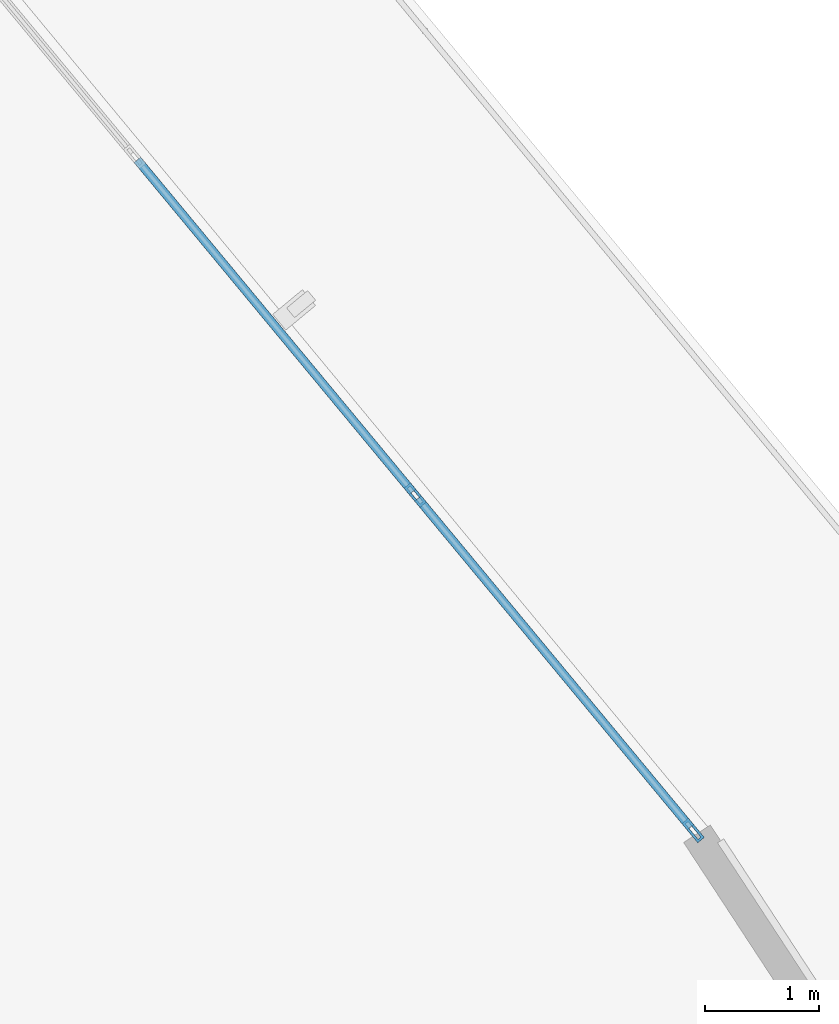
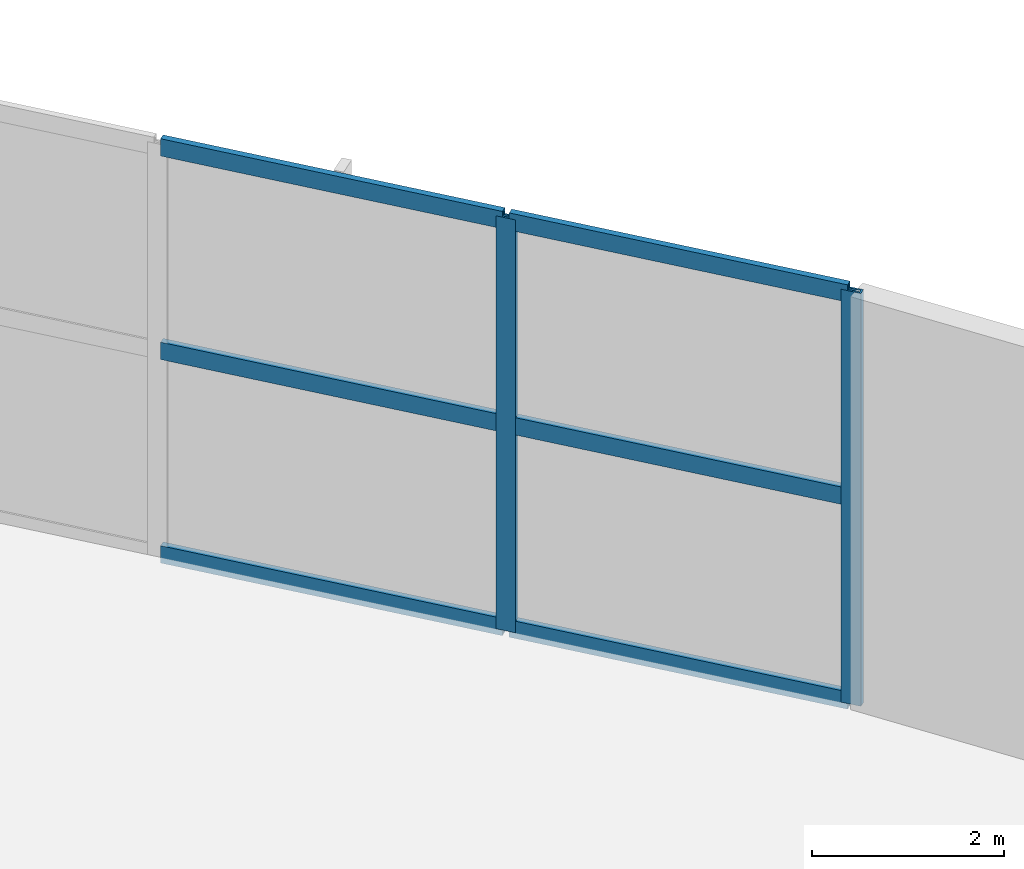
# One storey, part 7 of 26: 8 members, 1 element without a shape of its own.
"""IFC4 building model written with IfcOpenShell, lengths in metres."""

from ifc_helpers import new_model, si_unit, direction, frame, origin, origin_2d, place, context, subcontext, project, spatial, hollow_rectangle, extrude, source, transform, mapped, material, layer, layer_set, material_profile, profile_set, type_object, type_shapes, element, aggregate, save


model = new_model("IFC4")

# Units and contexts
model_context = context("Model", 3, precision=1e-05, world=origin(), true_north=direction((0.0, 1.0)))
body_context = subcontext(model_context, "Body", "Model", "MODEL_VIEW")
ifc_project = project(units=[si_unit("LENGTHUNIT", "METRE"), si_unit("AREAUNIT", "SQUARE_METRE"), si_unit("VOLUMEUNIT", "CUBIC_METRE"), si_unit("PLANEANGLEUNIT", "RADIAN"), si_unit("MASSUNIT", "GRAM", prefix="KILO")], contexts=[model_context])

# Site, building, storey
site_placement = place(None, origin())
site = spatial("IfcSite", under=ifc_project, at=site_placement, CompositionType="ELEMENT")
building_placement = place(site_placement, origin())
building = spatial("IfcBuilding", under=site, at=building_placement, Name="Tavelor Broadcast Tower", CompositionType="ELEMENT")
storey_placement = place(building_placement, frame((0.0, 0.0, 5.800048828125)))
storey = spatial("IfcBuildingStorey", under=building, at=storey_placement, Name="L01", CompositionType="ELEMENT", Elevation=5.800048828125)

# Curtain wall, members
ifc_material = material(Name="Architectural Anodized Aluminium", Category="aluminium")
ifc_layer = layer(ifc_material, 0.219970703125)
ifc_layer_set = layer_set([ifc_layer], Name="Architectural Anodized Aluminium")
curtain_wall_type = type_object("IfcCurtainWallType", Name="Podium Double-Height Broadcast Curtain Wall CW01", PredefinedType="NOTDEFINED", material=ifc_layer_set)
curtain_wall_placement = place(storey_placement, origin())
curtain_wall = element("IfcCurtainWall", 1, at=curtain_wall_placement, inside=storey, type_object=curtain_wall_type, Name="L01 Curtain Wall CW01 Run 6", PredefinedType="NOTDEFINED")
ifc_material_profile_1 = material_profile(ifc_material, hollow_rectangle(XDim=0.074951171875, YDim=0.219970703125, WallThickness=0.02197265625, at=origin_2d()), Name="RHS 75x220x22")
ifc_profile_set_1 = profile_set([ifc_material_profile_1], Name="Architectural Anodized Aluminium")
member_type_1 = type_object("IfcMemberType", Name="CW01 Extruded Aluminium Mullion 75x220", PredefinedType="MULLION", material=ifc_profile_set_1)
shared_shape_1 = source(origin(), body_context, "Body", "SweptSolid", [
    extrude(hollow_rectangle(XDim=0.074951171875, YDim=0.219970703125, WallThickness=0.02197265625, at=origin_2d()), origin(), (0.0, 0.0, 1.0), 5.25),
])
type_shapes(member_type_1, [shared_shape_1])
member_1_placement = place(storey_placement, frame((70.295654296875, 70.43017578125, 0.0), z_axis=(0.0, 0.0, 1.0), x_axis=(-0.769977943321, -0.638070503, 0.0)))
member_1 = element("IfcMember", 2, at=member_1_placement, type_object=member_type_1, Name="CW01 mullion 1", PredefinedType="MULLION", context=body_context, shape_type="MappedRepresentation", body=[
    mapped(shared_shape_1, transform((0.0, 0.0, 0.0), scale=1.0)),
])
member_2_placement = place(storey_placement, frame((67.8486328125, 73.38330078125, 0.0), z_axis=(0.0, 0.0, 1.0), x_axis=(-0.769977943321, -0.638070503, 0.0)))
member_2 = element("IfcMember", 3, at=member_2_placement, type_object=member_type_1, Name="CW01 mullion 2", PredefinedType="MULLION", context=body_context, shape_type="MappedRepresentation", body=[
    mapped(shared_shape_1, transform((0.0, 0.0, 0.0), scale=1.0)),
])
ifc_material_profile_2 = material_profile(ifc_material, hollow_rectangle(XDim=0.074951171875, YDim=0.219970703125, WallThickness=0.02197265625, at=origin_2d()), Name="RHS 75x220x22")
ifc_profile_set_2 = profile_set([ifc_material_profile_2], Name="Architectural Anodized Aluminium")
member_type_2 = type_object("IfcMemberType", Name="CW01 Extruded Aluminium Transom 75x220", PredefinedType="USERDEFINED", material=ifc_profile_set_2)
shared_shape_2 = source(origin(), body_context, "Body", "SweptSolid", [
    extrude(hollow_rectangle(XDim=0.074951171875, YDim=0.219970703125, WallThickness=0.02197265625, at=origin_2d()), origin(), (0.0, 0.0, 1.0), 3.760009765625),
])
member_3_placement = place(storey_placement, frame((70.271728515625, 70.459228515625, 0.037353515625), z_axis=(-0.638055262481, 0.769990572683, 0.0), x_axis=(-0.769990572683, -0.638055262481, 0.0)))
member_3 = element("IfcMember", 4, at=member_3_placement, type_object=member_type_2, Name="CW01 transom 1.1", ObjectType="TRANSOM", PredefinedType="USERDEFINED", context=body_context, shape_type="MappedRepresentation", body=[
    mapped(shared_shape_2, transform((0.0, 0.0, 0.0), scale=1.0)),
])
member_4_placement = place(storey_placement, frame((70.271728515625, 70.459228515625, 2.625), z_axis=(-0.638055262481, 0.769990572683, 0.0), x_axis=(-0.769990572683, -0.638055262481, 0.0)))
member_4 = element("IfcMember", 5, at=member_4_placement, type_object=member_type_2, Name="CW01 transom 1.2", ObjectType="TRANSOM", PredefinedType="USERDEFINED", context=body_context, shape_type="MappedRepresentation", body=[
    mapped(shared_shape_2, transform((0.0, 0.0, 0.0), scale=1.0)),
])
member_5_placement = place(storey_placement, frame((70.271728515625, 70.459228515625, 5.21240234375), z_axis=(-0.638055262481, 0.769990572683, 0.0), x_axis=(-0.769990572683, -0.638055262481, 0.0)))
member_5 = element("IfcMember", 6, at=member_5_placement, type_object=member_type_2, Name="CW01 transom 1.3", ObjectType="TRANSOM", PredefinedType="USERDEFINED", context=body_context, shape_type="MappedRepresentation", body=[
    mapped(shared_shape_2, transform((0.0, 0.0, 0.0), scale=1.0)),
])
shared_shape_3 = source(origin(), body_context, "Body", "SweptSolid", [
    extrude(hollow_rectangle(XDim=0.074951171875, YDim=0.219970703125, WallThickness=0.02197265625, at=origin_2d()), origin(), (0.0, 0.0, 1.0), 3.797607421875),
])
type_shapes(member_type_2, [shared_shape_2, shared_shape_3])
member_6_placement = place(storey_placement, frame((67.82470703125, 73.412109375, 0.037353515625), z_axis=(-0.638063606186, 0.769983658568, 0.0), x_axis=(-0.769983658568, -0.638063606186, 0.0)))
member_6 = element("IfcMember", 7, at=member_6_placement, type_object=member_type_2, Name="CW01 transom 2.1", ObjectType="TRANSOM", PredefinedType="USERDEFINED", context=body_context, shape_type="MappedRepresentation", body=[
    mapped(shared_shape_3, transform((0.0, 0.0, 0.0), scale=1.0)),
])
member_7_placement = place(storey_placement, frame((67.82470703125, 73.412109375, 2.625), z_axis=(-0.638063606186, 0.769983658568, 0.0), x_axis=(-0.769983658568, -0.638063606186, 0.0)))
member_7 = element("IfcMember", 8, at=member_7_placement, type_object=member_type_2, Name="CW01 transom 2.2", ObjectType="TRANSOM", PredefinedType="USERDEFINED", context=body_context, shape_type="MappedRepresentation", body=[
    mapped(shared_shape_3, transform((0.0, 0.0, 0.0), scale=1.0)),
])
member_8_placement = place(storey_placement, frame((67.82470703125, 73.412109375, 5.21240234375), z_axis=(-0.638063606186, 0.769983658568, 0.0), x_axis=(-0.769983658568, -0.638063606186, 0.0)))
member_8 = element("IfcMember", 9, at=member_8_placement, type_object=member_type_2, Name="CW01 transom 2.3", ObjectType="TRANSOM", PredefinedType="USERDEFINED", context=body_context, shape_type="MappedRepresentation", body=[
    mapped(shared_shape_3, transform((0.0, 0.0, 0.0), scale=1.0)),
])
aggregate(curtain_wall, [member_1, member_2, member_3, member_4, member_5, member_6, member_7, member_8])

save(model, "model.ifc")
